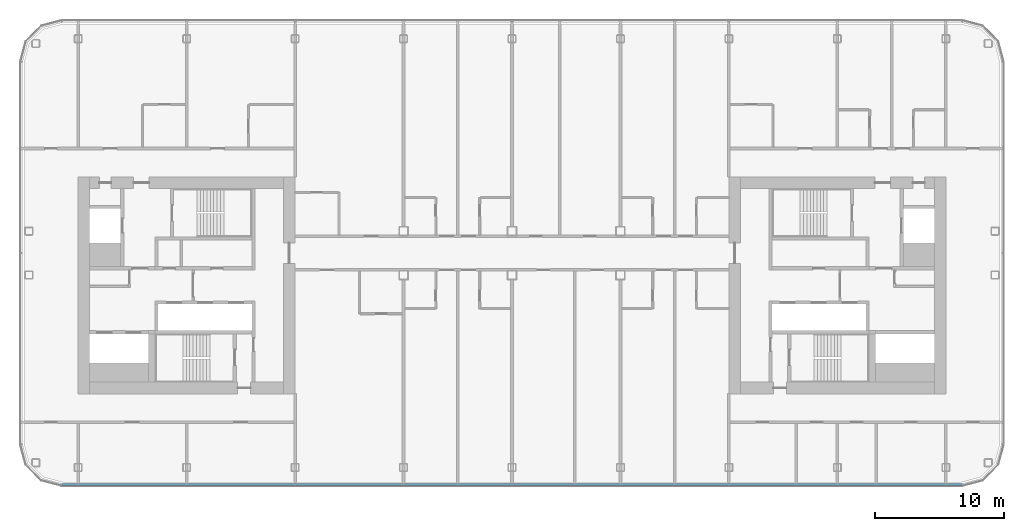
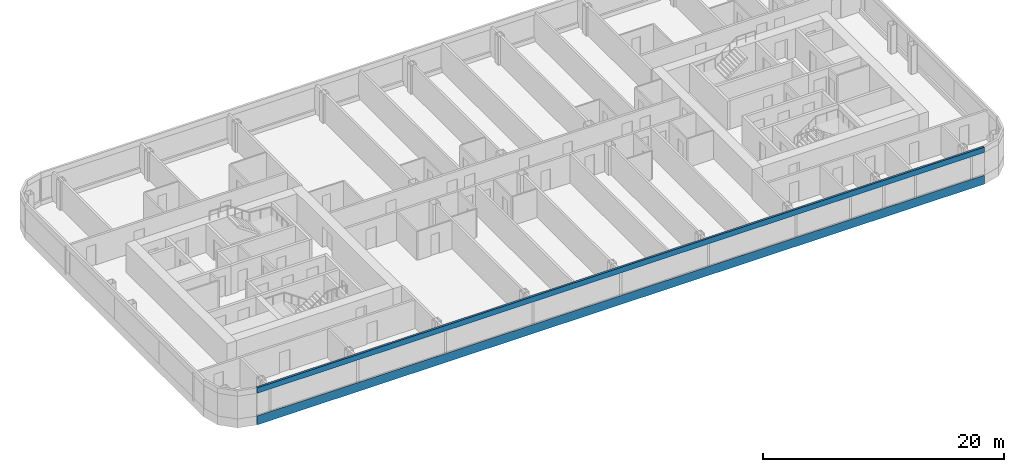
# One storey, part 4 of 26: 2 members, 1 element without a shape of its own.
"""IFC4 building model written with IfcOpenShell, lengths in metres."""

from ifc_helpers import new_model, si_unit, direction, frame, origin, origin_2d, place, context, subcontext, project, spatial, rectangle, extrude, material, layer, layer_set, material_profile, profile_set, type_object, element, aggregate, save


model = new_model("IFC4")

# Units and contexts
model_context = context("Model", 3, precision=1e-05, world=origin(), true_north=direction((0.0, 1.0)))
body_context = subcontext(model_context, "Body", "Model", "MODEL_VIEW")
ifc_project = project(units=[si_unit("LENGTHUNIT", "METRE"), si_unit("AREAUNIT", "SQUARE_METRE"), si_unit("VOLUMEUNIT", "CUBIC_METRE"), si_unit("PLANEANGLEUNIT", "RADIAN"), si_unit("MASSUNIT", "GRAM", prefix="KILO")], contexts=[model_context])

# Site, building, storey
site_placement = place(None, origin())
site = spatial("IfcSite", under=ifc_project, at=site_placement, CompositionType="ELEMENT")
building_placement = place(site_placement, origin())
building = spatial("IfcBuilding", under=site, at=building_placement, Name="Hakoniwa Tower and Hamabe Station Hall", CompositionType="ELEMENT")
storey_placement = place(building_placement, frame((0.0, 0.0, 225.0)))
storey = spatial("IfcBuildingStorey", under=building, at=storey_placement, Name="L64", CompositionType="ELEMENT", Elevation=225.0)

# Curtain wall, members
ifc_material_1 = material(Name="Dark low-e laminated glass", Category="glass")
ifc_layer = layer(ifc_material_1, 0.199951171875)
ifc_layer_set = layer_set([ifc_layer], Name="CW-1 UNITISED GUEST")
curtain_wall_type = type_object("IfcCurtainWallType", Name="CW-1 UNITISED GUEST", PredefinedType="NOTDEFINED", material=ifc_layer_set)
curtain_wall_placement = place(storey_placement, origin())
curtain_wall = element("IfcCurtainWall", 1, at=curtain_wall_placement, inside=storey, type_object=curtain_wall_type, Name="CW-1 curtain wall", PredefinedType="NOTDEFINED")
ifc_material_2 = material(Name="Aluminium 6063-T5 black anodised", Category="aluminium")
ifc_material_profile_1 = material_profile(ifc_material_2, rectangle(XDim=0.199951171875, YDim=0.550048828125, at=origin_2d()), Name="CW HEAD BAND 550X200")
ifc_profile_set_1 = profile_set([ifc_material_profile_1], Name="Aluminium 6063-T5 black anodised")
member_type_1 = type_object("IfcMemberType", Name="CW HEAD BAND 550X200", PredefinedType="USERDEFINED", material=ifc_profile_set_1)
member_1_placement = place(storey_placement, frame((-34.839599609375, -15.449951171875, 2.925048828125), z_axis=(1.0, 0.0, 0.0), x_axis=(0.0, 1.0, 0.0)))
member_1 = element("IfcMember", 2, at=member_1_placement, type_object=member_type_1, Name="CW-1 transom", ObjectType="TRANSOM", PredefinedType="USERDEFINED", context=body_context, shape_type="SweptSolid", body=[
    extrude(rectangle(XDim=0.199951171875, YDim=0.550048828125, at=origin_2d()), origin(), (0.0, 0.0, 1.0), 69.67919921875),
])
ifc_material_3 = material(Name="Aluminium 6063-T5 black anodised", Category="aluminium")
ifc_material_profile_2 = material_profile(ifc_material_3, rectangle(XDim=0.199951171875, YDim=0.89990234375, at=origin_2d()), Name="CW SLAB-EDGE BAND 900X200")
ifc_profile_set_2 = profile_set([ifc_material_profile_2], Name="Aluminium 6063-T5 black anodised")
member_type_2 = type_object("IfcMemberType", Name="CW SLAB-EDGE BAND 900X200", PredefinedType="USERDEFINED", material=ifc_profile_set_2)
member_2_placement = place(storey_placement, frame((-34.839599609375, -15.449951171875, -0.10009765625), z_axis=(1.0, 0.0, 0.0), x_axis=(0.0, 1.0, 0.0)))
member_2 = element("IfcMember", 3, at=member_2_placement, type_object=member_type_2, Name="CW-1 transom", ObjectType="TRANSOM", PredefinedType="USERDEFINED", context=body_context, shape_type="SweptSolid", body=[
    extrude(rectangle(XDim=0.199951171875, YDim=0.89990234375, at=origin_2d()), origin(), (0.0, 0.0, 1.0), 69.67919921875),
])
aggregate(curtain_wall, [member_2, member_1])

save(model, "model.ifc")
